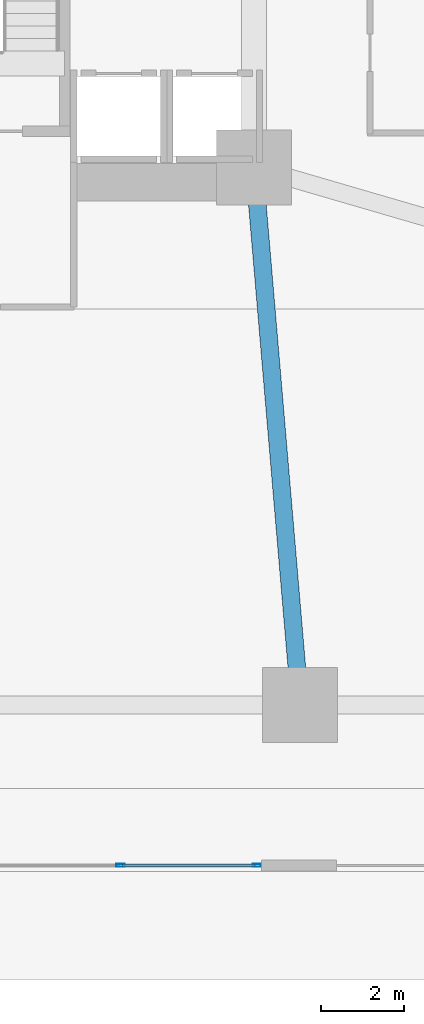
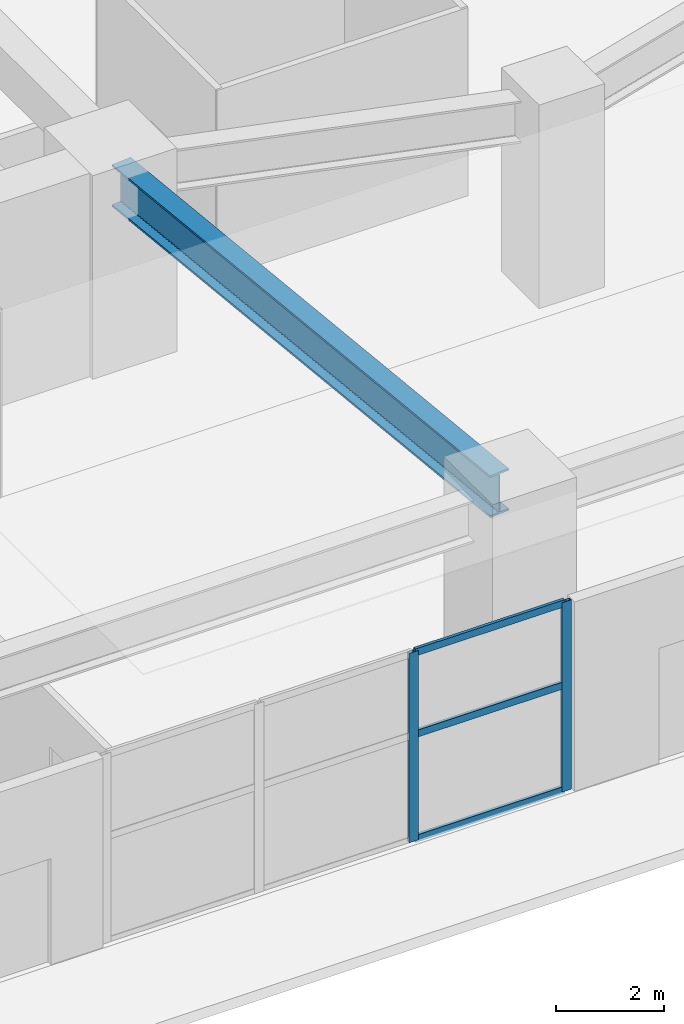
# One storey, part 4 of 18: 5 members, 1 beam, 1 element without a shape of its own.
"""IFC4 building model written with IfcOpenShell, lengths in metres."""

import ifcopenshell
import ifcopenshell.guid

model = None  # the IFC model being written
_history = None  # IfcOwnerHistory: only IFC2X3 demands one
_inside = {}  # id of a spatial element -> (the spatial element, [elements in it])
_under = {}  # id of a project, library or spatial element -> (it, [spatial elements below it])
_declared = {}  # id of a project -> (the project, [libraries it declares])
_typed = {}  # id of a type object -> (the type object, [elements of that type])
_made_of = {}  # id of a material, layer set ... -> (it, [elements and type objects made of it])


def new_model(schema):
    """Start an empty IFC model of exactly this schema.

    Asked for "IFC4X3", IfcOpenShell would pick the latest addendum, in which some entities
    have other attributes; the version numbers below select the first issue.
    IFC2X3 requires an IfcOwnerHistory on every rooted entity: one is made here for all.
    """
    global model, _history
    if schema == "IFC4X3":
        model = ifcopenshell.file(schema_version=(4, 3, 0, 0))
    else:
        model = ifcopenshell.file(schema=schema)
    _inside.clear()
    _under.clear()
    _declared.clear()
    _typed.clear()
    _made_of.clear()
    _history = None
    if model.schema == "IFC2X3":
        org = make("IfcOrganization", Name="unknown")
        user = make(
            "IfcPersonAndOrganization",
            ThePerson=make("IfcPerson", FamilyName="unknown"),
            TheOrganization=org,
        )
        app = make(
            "IfcApplication",
            ApplicationDeveloper=org,
            Version="unknown",
            ApplicationFullName="unknown",
            ApplicationIdentifier="unknown",
        )
        _history = make(
            "IfcOwnerHistory",
            OwningUser=user,
            OwningApplication=app,
            ChangeAction="ADDED",
            CreationDate=0,
        )
    return model


def make(cls, **values):
    """One entity of the class cls with the attributes given. An attribute that is None is left unset."""
    return model.create_entity(
        cls, **{name: value for name, value in values.items() if value is not None}
    )


def rooted(cls, **values):
    """An entity with a GlobalId (a new one), such as an element, a storey or a relation."""
    return make(cls, GlobalId=ifcopenshell.guid.new(), OwnerHistory=_history, **values)


def si_unit(unit_type, name, prefix=None):
    """IfcSIUnit, for example si_unit("LENGTHUNIT", "METRE", prefix="MILLI")."""
    return make("IfcSIUnit", UnitType=unit_type, Prefix=prefix, Name=name)


def assignment(units):
    """IfcUnitAssignment: the units of a project."""
    return None if units is None else make("IfcUnitAssignment", Units=units)


def point(xyz):
    """IfcCartesianPoint."""
    return None if xyz is None else make("IfcCartesianPoint", Coordinates=xyz)


def direction(xyz):
    """IfcDirection."""
    return None if xyz is None else make("IfcDirection", DirectionRatios=xyz)


def frame(location, z_axis=None, x_axis=None):
    """IfcAxis2Placement3D, a coordinate frame: its origin and axes. An axis left out is left unset."""
    return make(
        "IfcAxis2Placement3D",
        Location=point(location),
        Axis=direction(z_axis),
        RefDirection=direction(x_axis),
    )


def frame_2d(location, x_axis=None):
    """IfcAxis2Placement2D, a coordinate frame in the plane: its origin and x axis."""
    return make(
        "IfcAxis2Placement2D", Location=point(location), RefDirection=direction(x_axis)
    )


def origin():
    """The frame at (0, 0, 0) with its axes left unset."""
    return frame((0.0, 0.0, 0.0))


def origin_2d():
    """The frame at (0, 0) in the plane with its x axis left unset."""
    return frame_2d((0.0, 0.0))


def place(relative_to, where):
    """IfcLocalPlacement: puts the frame where relative to a parent placement (None: the world)."""
    return make(
        "IfcLocalPlacement", PlacementRelTo=relative_to, RelativePlacement=where
    )


def context(
    kind, dimensions, precision=None, world=None, true_north=None, identifier=None
):
    """IfcGeometricRepresentationContext, for example the 3D "Model" context."""
    return make(
        "IfcGeometricRepresentationContext",
        ContextIdentifier=identifier,
        ContextType=kind,
        CoordinateSpaceDimension=dimensions,
        Precision=precision,
        WorldCoordinateSystem=world,
        TrueNorth=true_north,
    )


def subcontext(parent, identifier, kind, view, scale=None):
    """IfcGeometricRepresentationSubContext, for example "Body" below "Model"."""
    return make(
        "IfcGeometricRepresentationSubContext",
        ContextIdentifier=identifier,
        ContextType=kind,
        ParentContext=parent,
        TargetScale=scale,
        TargetView=view,
    )


def project(units=None, contexts=None):
    """IfcProject with its units and contexts."""
    return rooted(
        "IfcProject",
        Name="project",
        RepresentationContexts=contexts,
        UnitsInContext=assignment(units),
    )


def spatial(cls, under=None, at=None, **own):
    """A site, building, storey or space (cls), placed at a placement, below another one or the project."""
    s = rooted(cls, ObjectPlacement=at, **own)
    if under is not None:
        _under.setdefault(under.id(), (under, []))[1].append(s)
    return s


def profile(cls, at=None, kind="AREA", **sizes):
    """A parametric profile (cls). Its sizes go by their IFC names, for example OverallWidth=200.0."""
    return make(cls, ProfileType=kind, Position=at, **sizes)


def hollow_rectangle(**sizes):
    """IfcRectangleHollowProfileDef."""
    return profile("IfcRectangleHollowProfileDef", **sizes)


def i_section(**sizes):
    """IfcIShapeProfileDef."""
    return profile("IfcIShapeProfileDef", **sizes)


def extrude(swept, where, along, depth):
    """IfcExtrudedAreaSolid: the profile swept, set in the frame where, extruded along a direction by depth."""
    return make(
        "IfcExtrudedAreaSolid",
        SweptArea=swept,
        Position=where,
        ExtrudedDirection=direction(along),
        Depth=depth,
    )


def shape(context_of_items, identifier, shape_type, items):
    """IfcShapeRepresentation: the items that make up one representation, for example the "Body"."""
    return make(
        "IfcShapeRepresentation",
        ContextOfItems=context_of_items,
        RepresentationIdentifier=identifier,
        RepresentationType=shape_type,
        Items=items,
    )


def material(Name=None, Category=None):
    """IfcMaterial."""
    return make("IfcMaterial", Name=Name, Category=Category)


def layer(
    of_material, thickness, ventilated=None, Name=None, Category=None, Priority=None
):
    """IfcMaterialLayer: one layer of a wall or slab, of a material (None: an air gap)."""
    return make(
        "IfcMaterialLayer",
        Material=of_material,
        LayerThickness=thickness,
        IsVentilated=ventilated,
        Name=Name,
        Category=Category,
        Priority=Priority,
    )


def layer_set(layers, Name=None):
    """IfcMaterialLayerSet."""
    return make("IfcMaterialLayerSet", MaterialLayers=layers, LayerSetName=Name)


def material_profile(
    of_material, cross_section, Name=None, Category=None, Priority=None
):
    """IfcMaterialProfile: a cross section and its material."""
    return make(
        "IfcMaterialProfile",
        Name=Name,
        Material=of_material,
        Profile=cross_section,
        Priority=Priority,
        Category=Category,
    )


def profile_set(profiles, Name=None, composite=None):
    """IfcMaterialProfileSet."""
    return make(
        "IfcMaterialProfileSet",
        Name=Name,
        MaterialProfiles=profiles,
        CompositeProfile=composite,
    )


def made_of(thing, what):
    """Note that an element or type object is made of a material, layer set ...; save() writes the relation."""
    if what is not None:
        _made_of.setdefault(what.id(), (what, []))[1].append(thing)
    return thing


def type_object(cls, material=None, **own):
    """A type object (cls), such as IfcWallType, which elements share."""
    return made_of(rooted(cls, **own), material)


def element(
    cls,
    number,
    at=None,
    inside=None,
    cuts=None,
    type_object=None,
    material=None,
    context=None,
    identifier="Body",
    shape_type=None,
    held_by="IfcProductDefinitionShape",
    body=None,
    shapes=None,
    **own,
):
    """One element of the class cls, such as IfcWall. Its Tag is "e" and its number.

    at: its placement. inside: the storey or other place that contains it. cuts: it is an
    opening in that element (IfcRelVoidsElement). A single representation is given by context,
    identifier, shape_type and body (its items); several are given by shapes. held_by: the class
    of the entity that holds the representations. save() writes the other relations.
    """
    e = rooted(cls, Tag="e%d" % number, ObjectPlacement=at, **own)
    if body is not None:
        shapes = [shape(context, identifier, shape_type, body)]
    if shapes is not None:
        e.Representation = make(held_by, Representations=shapes)
    if inside is not None:
        _inside.setdefault(inside.id(), (inside, []))[1].append(e)
    if cuts is not None:
        rooted(
            "IfcRelVoidsElement", RelatingBuildingElement=cuts, RelatedOpeningElement=e
        )
    if type_object is not None:
        _typed.setdefault(type_object.id(), (type_object, []))[1].append(e)
    return made_of(e, material)


def aggregate(whole, parts):
    """IfcRelAggregates: a whole, such as a stair, and the parts it consists of."""
    return rooted("IfcRelAggregates", RelatingObject=whole, RelatedObjects=parts)


def save(model, path):
    """Write the relations noted so far, then the file.

    IfcRelAggregates (storeys below a building ...), IfcRelContainedInSpatialStructure (elements
    in a storey), IfcRelDefinesByType, IfcRelAssociatesMaterial and IfcRelDeclares: one each for
    every whole, place, type object, material and project.
    """
    for whole, parts in _under.values():
        aggregate(whole, parts)
    for where, things in _inside.values():
        rooted(
            "IfcRelContainedInSpatialStructure",
            RelatedElements=things,
            RelatingStructure=where,
        )
    for kind, things in _typed.values():
        rooted("IfcRelDefinesByType", RelatedObjects=things, RelatingType=kind)
    for what, things in _made_of.values():
        rooted("IfcRelAssociatesMaterial", RelatedObjects=things, RelatingMaterial=what)
    for by, libraries in _declared.values():
        rooted("IfcRelDeclares", RelatingContext=by, RelatedDefinitions=libraries)
    model.write(path)


model = new_model("IFC4")

# Units and contexts
model_context = context("Model", 3, precision=1e-05, world=origin(), true_north=direction((0.0, 1.0)))
body_context = subcontext(model_context, "Body", "Model", "MODEL_VIEW")
ifc_project = project(units=[si_unit("LENGTHUNIT", "METRE"), si_unit("AREAUNIT", "SQUARE_METRE"), si_unit("VOLUMEUNIT", "CUBIC_METRE"), si_unit("PLANEANGLEUNIT", "RADIAN"), si_unit("MASSUNIT", "GRAM", prefix="KILO")], contexts=[model_context])

# Site, building, storey
site_placement = place(None, origin())
site = spatial("IfcSite", under=ifc_project, at=site_placement, CompositionType="ELEMENT")
building_placement = place(site_placement, origin())
building = spatial("IfcBuilding", under=site, at=building_placement, Name="Solvane Sanctuary Tower", CompositionType="ELEMENT")
storey_placement = place(building_placement, origin())
storey = spatial("IfcBuildingStorey", under=building, at=storey_placement, Name="L01", CompositionType="ELEMENT", Elevation=0.0)

# Beam
ifc_material_1 = material(Name="Steel ASTM A913 Grade 65", Category="steel")
ifc_material_profile_1 = material_profile(ifc_material_1, i_section(OverallWidth=0.423095703125, OverallDepth=0.947998046875, WebThickness=0.02392578125, FlangeThickness=0.042724609375, FilletRadius=0.02392578125, at=origin_2d()), Name="W36X302")
ifc_profile_set_1 = profile_set([ifc_material_profile_1], Name="Steel ASTM A913 Grade 65")
beam_type = type_object("IfcBeamType", Name="Beam B-POD-GIRD W36X302", PredefinedType="BEAM", material=ifc_profile_set_1)
beam_placement = place(storey_placement, frame((24.97021484375, 4.3486328125, 3.803955078125), z_axis=(-0.084962372295, 0.996384160499, 0.0), x_axis=(-0.996384160499, -0.084962372295, 0.0)))
element("IfcBeam", 1, at=beam_placement, inside=storey, type_object=beam_type, Name="L01 Podium Primary Girder PG9", PredefinedType="BEAM", context=body_context, shape_type="SweptSolid", body=[
    extrude(i_section(OverallWidth=0.423095703125, OverallDepth=0.947998046875, WebThickness=0.02392578125, FlangeThickness=0.042724609375, FilletRadius=0.02392578125, at=origin_2d()), origin(), (0.0, 0.0, 1.0), 12.246826171875),
])

# Curtain wall, members
ifc_material_2 = material(Name="Anodised Aluminium 6063-T6", Category="aluminium")
ifc_layer = layer(ifc_material_2, 0.159912109375, Name="Anodised Aluminium 6063-T6")
ifc_layer_set = layer_set([ifc_layer], Name="Anodised Aluminium 6063-T6")
curtain_wall_type = type_object("IfcCurtainWallType", Name="Curtain Wall CW-POD", PredefinedType="NOTDEFINED", material=ifc_layer_set)
curtain_wall_placement = place(storey_placement, origin())
curtain_wall = element("IfcCurtainWall", 2, at=curtain_wall_placement, inside=storey, type_object=curtain_wall_type, Name="L01 Arrival Curtain Wall S2", PredefinedType="NOTDEFINED")
ifc_material_profile_2 = material_profile(ifc_material_2, hollow_rectangle(XDim=0.074951171875, YDim=0.199951171875, WallThickness=0.00390625, at=origin_2d()), Name="ALU200X75X4")
ifc_profile_set_2 = profile_set([ifc_material_profile_2], Name="Anodised Aluminium 6063-T6")
member_type_1 = type_object("IfcMemberType", Name="Member M-CW-MUL-1 ALU200X75X4", PredefinedType="MULLION", material=ifc_profile_set_2)
member_1_placement = place(storey_placement, frame((20.693359375, 0.14990234375, 0.0), z_axis=(0.0, 0.0, 1.0), x_axis=(0.0, 1.0, 0.0)))
member_1 = element("IfcMember", 3, at=member_1_placement, type_object=member_type_1, Name="CW-POD mullion 3", PredefinedType="MULLION", context=body_context, shape_type="SweptSolid", body=[
    extrude(hollow_rectangle(XDim=0.074951171875, YDim=0.199951171875, WallThickness=0.00390625, at=origin_2d()), origin(), (0.0, 0.0, 1.0), 4.280029296875),
])
member_2_placement = place(storey_placement, frame((23.96240234375, 0.14990234375, 0.0), z_axis=(0.0, 0.0, 1.0), x_axis=(0.0, 1.0, 0.0)))
member_2 = element("IfcMember", 4, at=member_2_placement, type_object=member_type_1, Name="CW-POD mullion 4", PredefinedType="MULLION", context=body_context, shape_type="SweptSolid", body=[
    extrude(hollow_rectangle(XDim=0.074951171875, YDim=0.199951171875, WallThickness=0.00390625, at=origin_2d()), origin(), (0.0, 0.0, 1.0), 4.280029296875),
])
ifc_material_profile_3 = material_profile(ifc_material_2, hollow_rectangle(XDim=0.06494140625, YDim=0.159912109375, WallThickness=0.00341796875, at=origin_2d()), Name="ALU160X65X3.5")
ifc_profile_set_3 = profile_set([ifc_material_profile_3], Name="Anodised Aluminium 6063-T6")
member_type_2 = type_object("IfcMemberType", Name="Member M-CW-TRN-1 ALU160X65X3.5", PredefinedType="USERDEFINED", material=ifc_profile_set_3)
member_3_placement = place(storey_placement, frame((20.730712890625, 0.14990234375, 0.032470703125), z_axis=(1.0, 0.0, 0.0), x_axis=(0.0, 1.0, 0.0)))
member_3 = element("IfcMember", 5, at=member_3_placement, type_object=member_type_2, Name="CW-POD transom 3.1", ObjectType="TRANSOM", PredefinedType="USERDEFINED", context=body_context, shape_type="SweptSolid", body=[
    extrude(hollow_rectangle(XDim=0.06494140625, YDim=0.159912109375, WallThickness=0.00341796875, at=origin_2d()), origin(), (0.0, 0.0, 1.0), 3.1943359375),
])
member_4_placement = place(storey_placement, frame((20.730712890625, 0.14990234375, 2.39990234375), z_axis=(1.0, 0.0, 0.0), x_axis=(0.0, 1.0, 0.0)))
member_4 = element("IfcMember", 6, at=member_4_placement, type_object=member_type_2, Name="CW-POD transom 3.2", ObjectType="TRANSOM", PredefinedType="USERDEFINED", context=body_context, shape_type="SweptSolid", body=[
    extrude(hollow_rectangle(XDim=0.06494140625, YDim=0.159912109375, WallThickness=0.00341796875, at=origin_2d()), origin(), (0.0, 0.0, 1.0), 3.1943359375),
])
member_5_placement = place(storey_placement, frame((20.730712890625, 0.14990234375, 4.24755859375), z_axis=(1.0, 0.0, 0.0), x_axis=(0.0, 1.0, 0.0)))
member_5 = element("IfcMember", 7, at=member_5_placement, type_object=member_type_2, Name="CW-POD transom 3.3", ObjectType="TRANSOM", PredefinedType="USERDEFINED", context=body_context, shape_type="SweptSolid", body=[
    extrude(hollow_rectangle(XDim=0.06494140625, YDim=0.159912109375, WallThickness=0.00341796875, at=origin_2d()), origin(), (0.0, 0.0, 1.0), 3.1943359375),
])
aggregate(curtain_wall, [member_1, member_2, member_3, member_4, member_5])

save(model, "model.ifc")
